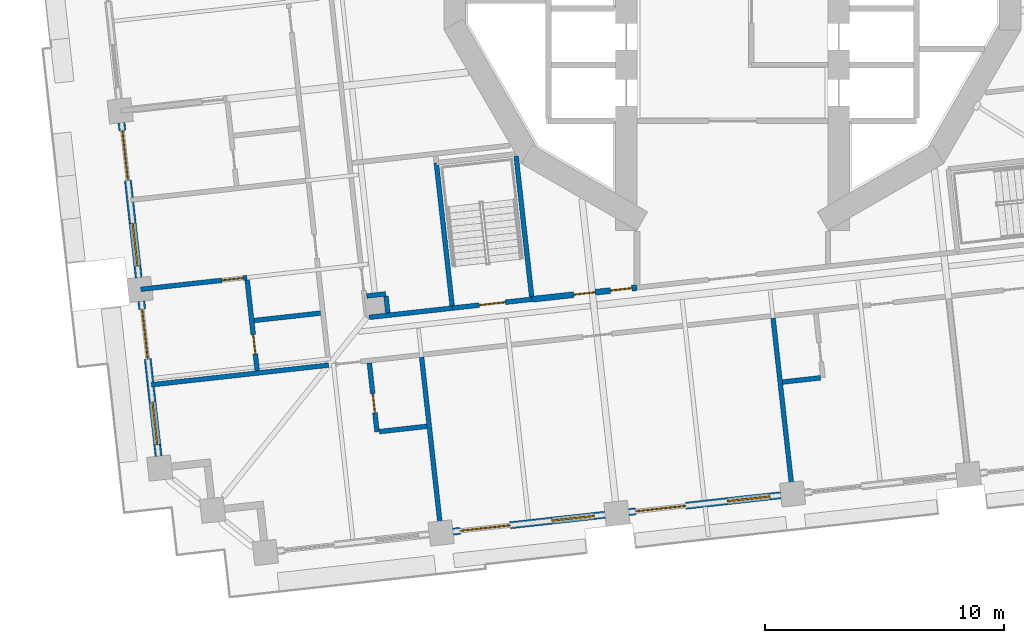
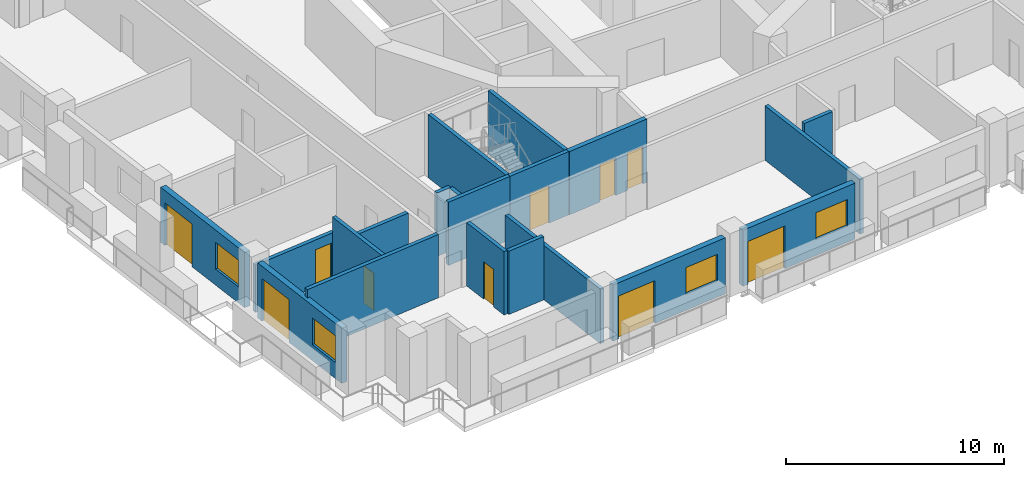
# One storey, part 7 of 20: 20 walls, 10 doors, 4 windows, 14 openings.
"""IFC4 building model written with IfcOpenShell, lengths in metres."""

from ifc_helpers import new_model, si_unit, direction, frame, frame_2d, origin, place, context, subcontext, project, spatial, rectangle, extrude, material, layer, layer_set, type_object, element, fill, save


model = new_model("IFC4")

# Units and contexts
model_context = context("Model", 3, precision=1e-05, world=origin(), true_north=direction((0.0, 1.0)))
body_context = subcontext(model_context, "Body", "Model", "MODEL_VIEW")
ifc_project = project(units=[si_unit("LENGTHUNIT", "METRE"), si_unit("AREAUNIT", "SQUARE_METRE"), si_unit("VOLUMEUNIT", "CUBIC_METRE"), si_unit("PLANEANGLEUNIT", "RADIAN"), si_unit("MASSUNIT", "GRAM", prefix="KILO")], contexts=[model_context])

# Site, building, storey
site_placement = place(None, origin())
site = spatial("IfcSite", under=ifc_project, at=site_placement, CompositionType="ELEMENT")
building_placement = place(site_placement, origin())
building = spatial("IfcBuilding", under=site, at=building_placement, Name="Cantera Rosa Tower", CompositionType="ELEMENT")
storey_placement = place(building_placement, frame((0.0, 0.0, 46.300048828125)))
storey = spatial("IfcBuildingStorey", under=building, at=storey_placement, Name="L08", CompositionType="ELEMENT", Elevation=46.300048828125)

# Wall
ifc_material_1 = material(Name="Gypsum board partition")
ifc_layer_1 = layer(ifc_material_1, 0.199951171875)
ifc_layer_set_1 = layer_set([ifc_layer_1], Name="CORRIDOR WALL 200 H3550")
wall_type_1 = type_object("IfcWallType", Name="CORRIDOR WALL 200 H3550", PredefinedType="PARTITIONING", material=ifc_layer_set_1)
wall_1_placement = place(storey_placement, frame((-15.208251953125, -15.27099609375, 0.0), z_axis=(0.0, 0.0, 1.0), x_axis=(0.993893064489, 0.110347525396, 0.0)))
element("IfcWall", 1, at=wall_1_placement, inside=storey, type_object=wall_type_1, Name="CORRIDOR WALL L08-024", PredefinedType="PARTITIONING", context=body_context, shape_type="SweptSolid", body=[
    extrude(rectangle(XDim=3.509033203125, YDim=0.199951171875, at=frame_2d((1.75439453125, 0.0))), origin(), (0.0, 0.0, 1.0), 3.550048828125),
])

# Wall, openings, window, door
ifc_material_2 = material(Name="Hollow clay masonry with cantera stone cladding", Category="masonry")
ifc_layer_2 = layer(ifc_material_2, 0.300048828125)
ifc_layer_set_2 = layer_set([ifc_layer_2], Name="EW-LOGGIA 300 H3090")
wall_type_2 = type_object("IfcWallType", Name="EW-LOGGIA 300 H3090", PredefinedType="SOLIDWALL", material=ifc_layer_set_2)
wall_2_placement = place(storey_placement, frame((-25.570068359375, -7.124267578125, 0.0), z_axis=(0.0, 0.0, 1.0), x_axis=(0.110312341265, -0.993896970196, 0.0)))
wall_2 = element("IfcWall", 2, at=wall_2_placement, inside=storey, type_object=wall_type_2, Name="EN-L08-W19", PredefinedType="SOLIDWALL", context=body_context, shape_type="SweptSolid", body=[
    extrude(rectangle(XDim=6.52001953125, YDim=0.300048828125, at=frame_2d((3.260009765625, 0.0))), origin(), (0.0, 0.0, 1.0), 3.08984375),
])
opening_1_placement = place(wall_2_placement, frame((0.330078125, 0.0, 0.0)))
opening_1 = element("IfcOpeningElement", 3, at=opening_1_placement, cuts=wall_2, Name="Opening L08-TD25", PredefinedType="OPENING", context=body_context, shape_type="SweptSolid", body=[
    extrude(rectangle(XDim=2.10009765625, YDim=2.39990234375, at=frame_2d((1.050048828125, 1.199951171875))), frame((0.0, 0.159912109375, 0.0), z_axis=(0.0, -1.0, 0.0), x_axis=(1.0, 0.0, 0.0)), (0.0, 0.0, 1.0), 0.320068359375),
])
opening_2_placement = place(wall_2_placement, frame((4.239990234375, 0.0, 0.89990234375)))
opening_2 = element("IfcOpeningElement", 4, at=opening_2_placement, cuts=wall_2, Name="Opening L08-W26", PredefinedType="OPENING", context=body_context, shape_type="SweptSolid", body=[
    extrude(rectangle(XDim=1.800048828125, YDim=1.5, at=frame_2d((0.89990234375, 0.75))), frame((0.0, 0.159912109375, 0.0), z_axis=(0.0, -1.0, 0.0), x_axis=(1.0, 0.0, 0.0)), (0.0, 0.0, 1.0), 0.320068359375),
])
ifc_material_3 = material(Name="Aluminium frame with clear glass", Category="aluminium")
window_type = type_object("IfcWindowType", Name="Hotel room window 1800x1500", PartitioningType="DOUBLE_PANEL_VERTICAL", PredefinedType="WINDOW", material=ifc_material_3)
window_1_placement = place(opening_2_placement, origin())
window_1 = element("IfcWindow", 5, at=window_1_placement, inside=storey, type_object=window_type, Name="WINDOW L08-W26", OverallHeight=1.5, OverallWidth=1.800048828125, PartitioningType="SINGLE_PANEL", PredefinedType="WINDOW", context=body_context, shape_type="SweptSolid", body=[
    extrude(rectangle(XDim=1.800048828125, YDim=1.5, at=frame_2d((0.89990234375, 0.75))), frame((0.0, 0.030029296875, 0.0), z_axis=(0.0, -1.0, 0.0), x_axis=(1.0, 0.0, 0.0)), (0.0, 0.0, 1.0), 0.06005859375),
])
fill(opening_2, window_1)
ifc_material_4 = material(Name="Aluminium frame with clear glass", Category="aluminium")
door_type_1 = type_object("IfcDoorType", Name="TD-H 2100x2400", OperationType="NOTDEFINED", PredefinedType="DOOR", material=ifc_material_4)
door_1_placement = place(opening_1_placement, origin())
door_1 = element("IfcDoor", 6, at=door_1_placement, inside=storey, type_object=door_type_1, Name="LOGGIA DOOR L08-TD25", OperationType="SLIDING_TO_LEFT", OverallHeight=2.39990234375, OverallWidth=2.10009765625, PredefinedType="DOOR", context=body_context, shape_type="SweptSolid", body=[
    extrude(rectangle(XDim=2.10009765625, YDim=2.39990234375, at=frame_2d((1.050048828125, 1.199951171875))), frame((0.0, 0.02490234375, 0.0), z_axis=(0.0, -1.0, 0.0), x_axis=(1.0, 0.0, 0.0)), (0.0, 0.0, 1.0), 0.050048828125),
])
fill(opening_1, door_1)

wall_3_placement = place(storey_placement, frame((-24.74072265625, -14.598388671875, 0.0), z_axis=(0.0, 0.0, 1.0), x_axis=(0.110312341265, -0.993896970196, 0.0)))
wall_3 = element("IfcWall", 7, at=wall_3_placement, inside=storey, type_object=wall_type_2, Name="EN-L08-W20", PredefinedType="SOLIDWALL", context=body_context, shape_type="SweptSolid", body=[
    extrude(rectangle(XDim=6.52001953125, YDim=0.300048828125, at=frame_2d((3.260009765625, 0.0))), origin(), (0.0, 0.0, 1.0), 3.08984375),
])
opening_3_placement = place(wall_3_placement, frame((0.330078125, 0.0, 0.0)))
opening_3 = element("IfcOpeningElement", 8, at=opening_3_placement, cuts=wall_3, Name="Opening L08-TD27", PredefinedType="OPENING", context=body_context, shape_type="SweptSolid", body=[
    extrude(rectangle(XDim=2.10009765625, YDim=2.39990234375, at=frame_2d((1.050048828125, 1.199951171875))), frame((0.0, 0.159912109375, 0.0), z_axis=(0.0, -1.0, 0.0), x_axis=(1.0, 0.0, 0.0)), (0.0, 0.0, 1.0), 0.320068359375),
])
opening_4_placement = place(wall_3_placement, frame((4.239990234375, 0.0, 0.89990234375)))
opening_4 = element("IfcOpeningElement", 9, at=opening_4_placement, cuts=wall_3, Name="Opening L08-W28", PredefinedType="OPENING", context=body_context, shape_type="SweptSolid", body=[
    extrude(rectangle(XDim=1.800048828125, YDim=1.5, at=frame_2d((0.89990234375, 0.75))), frame((0.0, 0.159912109375, 0.0), z_axis=(0.0, -1.0, 0.0), x_axis=(1.0, 0.0, 0.0)), (0.0, 0.0, 1.0), 0.320068359375),
])
window_2_placement = place(opening_4_placement, origin())
window_2 = element("IfcWindow", 10, at=window_2_placement, inside=storey, type_object=window_type, Name="WINDOW L08-W28", OverallHeight=1.5, OverallWidth=1.800048828125, PartitioningType="SINGLE_PANEL", PredefinedType="WINDOW", context=body_context, shape_type="SweptSolid", body=[
    extrude(rectangle(XDim=1.800048828125, YDim=1.5, at=frame_2d((0.89990234375, 0.75))), frame((0.0, 0.030029296875, 0.0), z_axis=(0.0, -1.0, 0.0), x_axis=(1.0, 0.0, 0.0)), (0.0, 0.0, 1.0), 0.06005859375),
])
fill(opening_4, window_2)
door_2_placement = place(opening_3_placement, origin())
door_2 = element("IfcDoor", 11, at=door_2_placement, inside=storey, type_object=door_type_1, Name="LOGGIA DOOR L08-TD27", OperationType="SLIDING_TO_LEFT", OverallHeight=2.39990234375, OverallWidth=2.10009765625, PredefinedType="DOOR", context=body_context, shape_type="SweptSolid", body=[
    extrude(rectangle(XDim=2.10009765625, YDim=2.39990234375, at=frame_2d((1.050048828125, 1.199951171875))), frame((0.0, 0.02490234375, 0.0), z_axis=(0.0, -1.0, 0.0), x_axis=(1.0, 0.0, 0.0)), (0.0, 0.0, 1.0), 0.050048828125),
])
fill(opening_3, door_2)

ifc_material_5 = material(Name="Hollow clay masonry with cantera stone cladding", Category="masonry")
ifc_layer_3 = layer(ifc_material_5, 0.300048828125)
ifc_layer_set_3 = layer_set([ifc_layer_3], Name="EW-LOGGIA 300 H3140")
wall_type_3 = type_object("IfcWallType", Name="EW-LOGGIA 300 H3140", PredefinedType="SOLIDWALL", material=ifc_layer_set_3)
wall_4_placement = place(storey_placement, frame((-11.697509765625, -24.23828125, 0.0), z_axis=(0.0, 0.0, 1.0), x_axis=(0.993895824271, 0.110322665379, 0.0)))
wall_4 = element("IfcWall", 12, at=wall_4_placement, inside=storey, type_object=wall_type_3, Name="EN-L08-W24", PredefinedType="SOLIDWALL", context=body_context, shape_type="SweptSolid", body=[
    extrude(rectangle(XDim=6.39990234375, YDim=0.300048828125, at=frame_2d((3.199951171875, 0.0))), origin(), (0.0, 0.0, 1.0), 3.139892578125),
])
opening_5_placement = place(wall_4_placement, frame((0.300048828125, 0.0, 0.0)))
opening_5 = element("IfcOpeningElement", 13, at=opening_5_placement, cuts=wall_4, Name="Opening L08-TD31", PredefinedType="OPENING", context=body_context, shape_type="SweptSolid", body=[
    extrude(rectangle(XDim=2.10009765625, YDim=2.39990234375, at=frame_2d((1.050048828125, 1.199951171875))), frame((0.0, 0.159912109375, 0.0), z_axis=(0.0, -1.0, 0.0), x_axis=(1.0, 0.0, 0.0)), (0.0, 0.0, 1.0), 0.320068359375),
])
opening_6_placement = place(wall_4_placement, frame((4.14990234375, 0.0, 0.89990234375)))
opening_6 = element("IfcOpeningElement", 14, at=opening_6_placement, cuts=wall_4, Name="Opening L08-W32", PredefinedType="OPENING", context=body_context, shape_type="SweptSolid", body=[
    extrude(rectangle(XDim=1.800048828125, YDim=1.5, at=frame_2d((0.89990234375, 0.75))), frame((0.0, 0.159912109375, 0.0), z_axis=(0.0, -1.0, 0.0), x_axis=(1.0, 0.0, 0.0)), (0.0, 0.0, 1.0), 0.320068359375),
])
window_3_placement = place(opening_6_placement, origin())
window_3 = element("IfcWindow", 15, at=window_3_placement, inside=storey, type_object=window_type, Name="WINDOW L08-W32", OverallHeight=1.5, OverallWidth=1.800048828125, PartitioningType="SINGLE_PANEL", PredefinedType="WINDOW", context=body_context, shape_type="SweptSolid", body=[
    extrude(rectangle(XDim=1.800048828125, YDim=1.5, at=frame_2d((0.89990234375, 0.75))), frame((0.0, 0.030029296875, 0.0), z_axis=(0.0, -1.0, 0.0), x_axis=(1.0, 0.0, 0.0)), (0.0, 0.0, 1.0), 0.06005859375),
])
fill(opening_6, window_3)
door_3_placement = place(opening_5_placement, origin())
door_3 = element("IfcDoor", 16, at=door_3_placement, inside=storey, type_object=door_type_1, Name="LOGGIA DOOR L08-TD31", OperationType="SLIDING_TO_LEFT", OverallHeight=2.39990234375, OverallWidth=2.10009765625, PredefinedType="DOOR", context=body_context, shape_type="SweptSolid", body=[
    extrude(rectangle(XDim=2.10009765625, YDim=2.39990234375, at=frame_2d((1.050048828125, 1.199951171875))), frame((0.0, 0.02490234375, 0.0), z_axis=(0.0, -1.0, 0.0), x_axis=(1.0, 0.0, 0.0)), (0.0, 0.0, 1.0), 0.050048828125),
])
fill(opening_5, door_3)

wall_5_placement = place(storey_placement, frame((-4.3427734375, -23.422119140625, 0.0), z_axis=(0.0, 0.0, 1.0), x_axis=(0.993895824271, 0.110322665379, 0.0)))
wall_5 = element("IfcWall", 17, at=wall_5_placement, inside=storey, type_object=wall_type_3, Name="EN-L08-W25", PredefinedType="SOLIDWALL", context=body_context, shape_type="SweptSolid", body=[
    extrude(rectangle(XDim=6.39990234375, YDim=0.300048828125, at=frame_2d((3.199951171875, 0.0))), origin(), (0.0, 0.0, 1.0), 3.139892578125),
])
opening_7_placement = place(wall_5_placement, frame((0.300048828125, 0.0, 0.0)))
opening_7 = element("IfcOpeningElement", 18, at=opening_7_placement, cuts=wall_5, Name="Opening L08-TD33", PredefinedType="OPENING", context=body_context, shape_type="SweptSolid", body=[
    extrude(rectangle(XDim=2.10009765625, YDim=2.39990234375, at=frame_2d((1.050048828125, 1.199951171875))), frame((0.0, 0.159912109375, 0.0), z_axis=(0.0, -1.0, 0.0), x_axis=(1.0, 0.0, 0.0)), (0.0, 0.0, 1.0), 0.320068359375),
])
opening_8_placement = place(wall_5_placement, frame((4.14990234375, 0.0, 0.89990234375)))
opening_8 = element("IfcOpeningElement", 19, at=opening_8_placement, cuts=wall_5, Name="Opening L08-W34", PredefinedType="OPENING", context=body_context, shape_type="SweptSolid", body=[
    extrude(rectangle(XDim=1.800048828125, YDim=1.5, at=frame_2d((0.89990234375, 0.75))), frame((0.0, 0.159912109375, 0.0), z_axis=(0.0, -1.0, 0.0), x_axis=(1.0, 0.0, 0.0)), (0.0, 0.0, 1.0), 0.320068359375),
])
window_4_placement = place(opening_8_placement, origin())
window_4 = element("IfcWindow", 20, at=window_4_placement, inside=storey, type_object=window_type, Name="WINDOW L08-W34", OverallHeight=1.5, OverallWidth=1.800048828125, PartitioningType="SINGLE_PANEL", PredefinedType="WINDOW", context=body_context, shape_type="SweptSolid", body=[
    extrude(rectangle(XDim=1.800048828125, YDim=1.5, at=frame_2d((0.89990234375, 0.75))), frame((0.0, 0.030029296875, 0.0), z_axis=(0.0, -1.0, 0.0), x_axis=(1.0, 0.0, 0.0)), (0.0, 0.0, 1.0), 0.06005859375),
])
fill(opening_8, window_4)
door_4_placement = place(opening_7_placement, origin())
door_4 = element("IfcDoor", 21, at=door_4_placement, inside=storey, type_object=door_type_1, Name="LOGGIA DOOR L08-TD33", OperationType="SLIDING_TO_LEFT", OverallHeight=2.39990234375, OverallWidth=2.10009765625, PredefinedType="DOOR", context=body_context, shape_type="SweptSolid", body=[
    extrude(rectangle(XDim=2.10009765625, YDim=2.39990234375, at=frame_2d((1.050048828125, 1.199951171875))), frame((0.0, 0.02490234375, 0.0), z_axis=(0.0, -1.0, 0.0), x_axis=(1.0, 0.0, 0.0)), (0.0, 0.0, 1.0), 0.050048828125),
])
fill(opening_7, door_4)

# Wall, opening, door
ifc_material_6 = material(Name="Gypsum board partition")
ifc_layer_4 = layer(ifc_material_6, 0.199951171875)
ifc_layer_set_4 = layer_set([ifc_layer_4], Name="PARTITION 200 H2650")
wall_type_4 = type_object("IfcWallType", Name="PARTITION 200 H2650", PredefinedType="PARTITIONING", material=ifc_layer_set_4)
wall_6_placement = place(storey_placement, frame((-24.76611328125, -14.097900390625, 0.0), z_axis=(0.0, 0.0, 1.0), x_axis=(0.993901704808, 0.1102696748, 0.0)))
wall_6 = element("IfcWall", 22, at=wall_6_placement, inside=storey, type_object=wall_type_4, Name="PARTITION L08-002", PredefinedType="PARTITIONING", context=body_context, shape_type="SweptSolid", body=[
    extrude(rectangle(XDim=4.47021484375, YDim=0.199951171875, at=frame_2d((2.235107421875, 0.0))), origin(), (0.0, 0.0, 1.0), 2.64990234375),
])
opening_9_placement = place(wall_6_placement, frame((3.419921875, 0.0, 0.0)))
opening_9 = element("IfcOpeningElement", 23, at=opening_9_placement, cuts=wall_6, Name="Opening L08-033", PredefinedType="OPENING", context=body_context, shape_type="SweptSolid", body=[
    extrude(rectangle(XDim=0.89990234375, YDim=2.10009765625, at=frame_2d((0.449951171875, 1.050048828125))), frame((0.0, 0.10986328125, 0.0), z_axis=(0.0, -1.0, 0.0), x_axis=(1.0, 0.0, 0.0)), (0.0, 0.0, 1.0), 0.219970703125),
])
ifc_material_7 = material(Name="Timber door leaf", Category="wood")
door_type_2 = type_object("IfcDoorType", Name="ROOM DOOR 900x2100", OperationType="NOTDEFINED", PredefinedType="DOOR", material=ifc_material_7)
door_5_placement = place(opening_9_placement, origin())
door_5 = element("IfcDoor", 24, at=door_5_placement, inside=storey, type_object=door_type_2, Name="DOOR L08-033", OperationType="NOTDEFINED", OverallHeight=2.10009765625, OverallWidth=0.89990234375, PredefinedType="DOOR", context=body_context, shape_type="SweptSolid", body=[
    extrude(rectangle(XDim=0.89990234375, YDim=2.10009765625, at=frame_2d((0.449951171875, 1.050048828125))), frame((0.0, 0.02490234375, 0.0), z_axis=(0.0, -1.0, 0.0), x_axis=(1.0, 0.0, 0.0)), (0.0, 0.0, 1.0), 0.050048828125),
])
fill(opening_9, door_5)

ifc_material_8 = material(Name="Gypsum board partition")
ifc_layer_5 = layer(ifc_material_8, 0.199951171875)
ifc_layer_set_5 = layer_set([ifc_layer_5], Name="PARTITION 200 H3550")
wall_type_5 = type_object("IfcWallType", Name="PARTITION 200 H3550", PredefinedType="PARTITIONING", material=ifc_layer_set_5)
wall_7_placement = place(storey_placement, frame((-20.312255859375, -13.704345703125, 0.0), z_axis=(0.0, 0.0, 1.0), x_axis=(0.110312274665, -0.993896977588, 0.0)))
wall_7 = element("IfcWall", 25, at=wall_7_placement, inside=storey, type_object=wall_type_5, Name="PARTITION L08-007", PredefinedType="PARTITIONING", context=body_context, shape_type="SweptSolid", body=[
    extrude(rectangle(XDim=3.81982421875, YDim=0.199951171875, at=frame_2d((1.909912109375, 0.0))), origin(), (0.0, 0.0, 1.0), 3.550048828125),
])
opening_10_placement = place(wall_7_placement, frame((2.31005859375, 0.0, 0.0)))
opening_10 = element("IfcOpeningElement", 26, at=opening_10_placement, cuts=wall_7, Name="Opening L08-034", PredefinedType="OPENING", context=body_context, shape_type="SweptSolid", body=[
    extrude(rectangle(XDim=0.800048828125, YDim=2.10009765625, at=frame_2d((0.39990234375, 1.050048828125))), frame((0.0, 0.10986328125, 0.0), z_axis=(0.0, -1.0, 0.0), x_axis=(1.0, 0.0, 0.0)), (0.0, 0.0, 1.0), 0.219970703125),
])
ifc_material_9 = material(Name="Timber door leaf", Category="wood")
door_type_3 = type_object("IfcDoorType", Name="BATHROOM DOOR 800x2100", OperationType="NOTDEFINED", PredefinedType="DOOR", material=ifc_material_9)
door_6_placement = place(opening_10_placement, origin())
door_6 = element("IfcDoor", 27, at=door_6_placement, inside=storey, type_object=door_type_3, Name="DOOR L08-034", OperationType="NOTDEFINED", OverallHeight=2.10009765625, OverallWidth=0.800048828125, PredefinedType="DOOR", context=body_context, shape_type="SweptSolid", body=[
    extrude(rectangle(XDim=0.800048828125, YDim=2.10009765625, at=frame_2d((0.39990234375, 1.050048828125))), frame((0.0, 0.02490234375, 0.0), z_axis=(0.0, -1.0, 0.0), x_axis=(1.0, 0.0, 0.0)), (0.0, 0.0, 1.0), 0.050048828125),
])
fill(opening_10, door_6)

# Wall
wall_8_placement = place(storey_placement, frame((-20.023193359375, -15.40283203125, 0.0), z_axis=(0.0, 0.0, 1.0), x_axis=(0.993898612038, 0.110297547524, 0.0)))
element("IfcWall", 28, at=wall_8_placement, inside=storey, type_object=wall_type_5, Name="PARTITION L08-010", PredefinedType="PARTITIONING", context=body_context, shape_type="SweptSolid", body=[
    extrude(rectangle(XDim=2.800048828125, YDim=0.199951171875, at=frame_2d((1.39990234375, 0.0))), origin(), (0.0, 0.0, 1.0), 3.550048828125),
])

# Wall, opening, door
wall_9_placement = place(storey_placement, frame((-14.87744140625, -20.063720703125, 0.0), z_axis=(0.0, 0.0, 1.0), x_axis=(-0.110366846939, 0.993890919114, 0.0)))
wall_9 = element("IfcWall", 29, at=wall_9_placement, inside=storey, type_object=wall_type_5, Name="PARTITION L08-025", PredefinedType="PARTITIONING", context=body_context, shape_type="SweptSolid", body=[
    extrude(rectangle(XDim=2.900146484375, YDim=0.199951171875, at=frame_2d((1.4501953125, 0.0))), origin(), (0.0, 0.0, 1.0), 3.550048828125),
])
opening_11_placement = place(wall_9_placement, frame((0.800048828125, 0.0, 0.0)))
opening_11 = element("IfcOpeningElement", 30, at=opening_11_placement, cuts=wall_9, Name="Opening L08-046", PredefinedType="OPENING", context=body_context, shape_type="SweptSolid", body=[
    extrude(rectangle(XDim=0.800048828125, YDim=2.10009765625, at=frame_2d((0.39990234375, 1.050048828125))), frame((0.0, 0.10986328125, 0.0), z_axis=(0.0, -1.0, 0.0), x_axis=(1.0, 0.0, 0.0)), (0.0, 0.0, 1.0), 0.219970703125),
])
door_7_placement = place(opening_11_placement, origin())
door_7 = element("IfcDoor", 31, at=door_7_placement, inside=storey, type_object=door_type_3, Name="DOOR L08-046", OperationType="NOTDEFINED", OverallHeight=2.10009765625, OverallWidth=0.800048828125, PredefinedType="DOOR", context=body_context, shape_type="SweptSolid", body=[
    extrude(rectangle(XDim=0.800048828125, YDim=2.10009765625, at=frame_2d((0.39990234375, 1.050048828125))), frame((0.0, 0.02490234375, 0.0), z_axis=(0.0, -1.0, 0.0), x_axis=(1.0, 0.0, 0.0)), (0.0, 0.0, 1.0), 0.050048828125),
])
fill(opening_11, door_7)

# Walls
wall_10_placement = place(storey_placement, frame((-14.512451171875, -14.2880859375, 0.0), z_axis=(0.0, 0.0, 1.0), x_axis=(-0.993880012744, -0.110465018303, 0.0)))
element("IfcWall", 32, at=wall_10_placement, inside=storey, type_object=wall_type_5, Name="PARTITION L08-027", PredefinedType="PARTITIONING", context=body_context, shape_type="SweptSolid", body=[
    extrude(rectangle(XDim=0.800048828125, YDim=0.199951171875, at=frame_2d((0.39990234375, 0.0))), origin(), (0.0, 0.0, 1.0), 3.550048828125),
])
wall_11_placement = place(storey_placement, frame((-14.42431640625, -15.083251953125, 0.0), z_axis=(0.0, 0.0, 1.0), x_axis=(-0.110201865026, 0.993909225707, 0.0)))
element("IfcWall", 33, at=wall_11_placement, inside=storey, type_object=wall_type_5, Name="PARTITION L08-029", PredefinedType="PARTITIONING", context=body_context, shape_type="SweptSolid", body=[
    extrude(rectangle(XDim=0.699951171875, YDim=0.199951171875, at=frame_2d((0.35009765625, 0.0))), origin(), (0.0, 0.0, 1.0), 3.550048828125),
])
wall_12_placement = place(storey_placement, frame((-12.790283203125, -19.83203125, 0.0), z_axis=(0.0, 0.0, 1.0), x_axis=(-0.993906044505, -0.110230552467, 0.0)))
element("IfcWall", 34, at=wall_12_placement, inside=storey, type_object=wall_type_5, Name="PARTITION L08-031", PredefinedType="PARTITIONING", context=body_context, shape_type="SweptSolid", body=[
    extrude(rectangle(XDim=2.0, YDim=0.199951171875, at=frame_2d((1.0, 0.0))), origin(), (0.0, 0.0, 1.0), 3.550048828125),
])
wall_13_placement = place(storey_placement, frame((3.686279296875, -17.802001953125, 0.0), z_axis=(0.0, 0.0, 1.0), x_axis=(-0.99389675276, -0.110314300314, 0.0)))
element("IfcWall", 35, at=wall_13_placement, inside=storey, type_object=wall_type_5, Name="PARTITION L08-060", PredefinedType="PARTITIONING", context=body_context, shape_type="SweptSolid", body=[
    extrude(rectangle(XDim=1.60009765625, YDim=0.199951171875, at=frame_2d((0.800048828125, 0.0))), origin(), (0.0, 0.0, 1.0), 3.550048828125),
])
ifc_material_10 = material(Name="Gypsum board partition")
ifc_layer_6 = layer(ifc_material_10, 0.199951171875)
ifc_layer_set_6 = layer_set([ifc_layer_6], Name="PARTY WALL 200 H3050")
wall_type_6 = type_object("IfcWallType", Name="PARTY WALL 200 H3050", PredefinedType="PARTITIONING", material=ifc_layer_set_6)
wall_14_placement = place(storey_placement, frame((-12.197998046875, -24.263671875, 0.0), z_axis=(0.0, 0.0, 1.0), x_axis=(-0.11031154238, 0.993897058864, 0.0)))
element("IfcWall", 36, at=wall_14_placement, inside=storey, type_object=wall_type_6, Name="PARTY WALL L08-035", PredefinedType="PARTITIONING", context=body_context, shape_type="SweptSolid", body=[
    extrude(rectangle(XDim=7.369873046875, YDim=0.199951171875, at=frame_2d((3.68505859375, 0.0))), origin(), (0.0, 0.0, 1.0), 3.050048828125),
])
wall_15_placement = place(storey_placement, frame((1.69873046875, -15.305908203125, 0.0), z_axis=(0.0, 0.0, 1.0), x_axis=(0.110307910555, -0.993897461949, 0.0)))
element("IfcWall", 37, at=wall_15_placement, inside=storey, type_object=wall_type_6, Name="PARTY WALL L08-058", PredefinedType="PARTITIONING", context=body_context, shape_type="SweptSolid", body=[
    extrude(rectangle(XDim=7.3701171875, YDim=0.199951171875, at=frame_2d((3.68505859375, 0.0))), origin(), (0.0, 0.0, 1.0), 3.050048828125),
])
ifc_material_11 = material(Name="Gypsum board partition")
ifc_layer_7 = layer(ifc_material_11, 0.199951171875)
ifc_layer_set_7 = layer_set([ifc_layer_7], Name="PARTY WALL 200 H3550")
wall_type_7 = type_object("IfcWallType", Name="PARTY WALL 200 H3550", PredefinedType="PARTITIONING", material=ifc_layer_set_7)
wall_16_placement = place(storey_placement, frame((-24.322509765625, -18.093505859375, 0.0), z_axis=(0.0, 0.0, 1.0), x_axis=(0.993897676912, 0.110305973679, 0.0)))
element("IfcWall", 38, at=wall_16_placement, inside=storey, type_object=wall_type_7, Name="PARTY WALL L08-003", PredefinedType="PARTITIONING", context=body_context, shape_type="SweptSolid", body=[
    extrude(rectangle(XDim=7.469970703125, YDim=0.199951171875, at=frame_2d((3.73486328125, 0.0))), origin(), (0.0, 0.0, 1.0), 3.550048828125),
])

# Wall, openings, doors
ifc_material_12 = material(Name="Masonry blockwork", Category="masonry")
ifc_layer_8 = layer(ifc_material_12, 0.25)
ifc_layer_set_8 = layer_set([ifc_layer_8], Name="SHAFT WALL 250 H3550")
wall_type_8 = type_object("IfcWallType", Name="SHAFT WALL 250 H3550", PredefinedType="SOLIDWALL", material=ifc_layer_set_8)
wall_17_placement = place(storey_placement, frame((-8.391357421875, -14.51416015625, 0.0), z_axis=(0.0, 0.0, 1.0), x_axis=(0.993899223668, 0.110292035939, 0.0)))
wall_17 = element("IfcWall", 39, at=wall_17_placement, inside=storey, type_object=wall_type_8, Name="SHAFT WALL L08-042", PredefinedType="SOLIDWALL", context=body_context, shape_type="SweptSolid", body=[
    extrude(rectangle(XDim=4.418212890625, YDim=0.25, at=frame_2d((2.208984375, 0.0))), origin(), (0.0, 0.0, 1.0), 3.550048828125),
])
opening_12_placement = place(wall_17_placement, frame((3.305419921875, 0.0, 0.0)))
opening_12 = element("IfcOpeningElement", 40, at=opening_12_placement, cuts=wall_17, Name="Opening L08-008", PredefinedType="OPENING", context=body_context, shape_type="SweptSolid", body=[
    extrude(rectangle(XDim=0.89990234375, YDim=2.10009765625, at=frame_2d((0.449951171875, 1.050048828125))), frame((0.0, 0.135009765625, 0.0), z_axis=(0.0, -1.0, 0.0), x_axis=(1.0, 0.0, 0.0)), (0.0, 0.0, 1.0), 0.27001953125),
])
opening_13_placement = place(wall_17_placement, frame((1.759033203125, 0.0, 0.0)))
opening_13 = element("IfcOpeningElement", 41, at=opening_13_placement, cuts=wall_17, Name="Opening L08-049", PredefinedType="OPENING", context=body_context, shape_type="SweptSolid", body=[
    extrude(rectangle(XDim=0.89990234375, YDim=2.10009765625, at=frame_2d((0.449951171875, 1.050048828125))), frame((0.0, 0.135009765625, 0.0), z_axis=(0.0, -1.0, 0.0), x_axis=(1.0, 0.0, 0.0)), (0.0, 0.0, 1.0), 0.27001953125),
])
ifc_material_13 = material(Name="Timber door leaf", Category="wood")
door_type_4 = type_object("IfcDoorType", Name="SERVICE DOOR 900x2100", OperationType="NOTDEFINED", PredefinedType="DOOR", material=ifc_material_13)
door_8_placement = place(opening_12_placement, origin())
door_8 = element("IfcDoor", 42, at=door_8_placement, inside=storey, type_object=door_type_4, Name="RISER DOOR L08-008", OperationType="NOTDEFINED", OverallHeight=2.10009765625, OverallWidth=0.89990234375, PredefinedType="DOOR", context=body_context, shape_type="SweptSolid", body=[
    extrude(rectangle(XDim=0.89990234375, YDim=2.10009765625, at=frame_2d((0.449951171875, 1.050048828125))), frame((0.0, 0.02490234375, 0.0), z_axis=(0.0, -1.0, 0.0), x_axis=(1.0, 0.0, 0.0)), (0.0, 0.0, 1.0), 0.050048828125),
])
fill(opening_12, door_8)
door_9_placement = place(opening_13_placement, origin())
door_9 = element("IfcDoor", 43, at=door_9_placement, inside=storey, type_object=door_type_4, Name="RISER DOOR L08-049", OperationType="NOTDEFINED", OverallHeight=2.10009765625, OverallWidth=0.89990234375, PredefinedType="DOOR", context=body_context, shape_type="SweptSolid", body=[
    extrude(rectangle(XDim=0.89990234375, YDim=2.10009765625, at=frame_2d((0.449951171875, 1.050048828125))), frame((0.0, 0.02490234375, 0.0), z_axis=(0.0, -1.0, 0.0), x_axis=(1.0, 0.0, 0.0)), (0.0, 0.0, 1.0), 0.050048828125),
])
fill(opening_13, door_9)

# Wall
ifc_material_14 = material(Name="Concrete C50/60", Category="concrete")
ifc_layer_9 = layer(ifc_material_14, 0.199951171875)
ifc_layer_set_9 = layer_set([ifc_layer_9], Name="STAIR WALL 200 H3550")
wall_type_9 = type_object("IfcWallType", Name="STAIR WALL 200 H3550", PredefinedType="SOLIDWALL", material=ifc_layer_set_9)
wall_18_placement = place(storey_placement, frame((-12.395751953125, -8.802978515625, 0.0), z_axis=(0.0, 0.0, 1.0), x_axis=(0.110335171461, -0.993894436014, 0.0)))
element("IfcWall", 44, at=wall_18_placement, inside=storey, type_object=wall_type_9, Name="STAIR WALL L08-033", PredefinedType="SOLIDWALL", context=body_context, shape_type="SweptSolid", body=[
    extrude(rectangle(XDim=6.1181640625, YDim=0.199951171875, at=frame_2d((3.05908203125, 0.0))), origin(), (0.0, 0.0, 1.0), 3.550048828125),
])

# Wall, opening, door
wall_19_placement = place(storey_placement, frame((-11.720703125, -14.8837890625, 0.0), z_axis=(0.0, 0.0, 1.0), x_axis=(0.993893507649, 0.110343533811, 0.0)))
wall_19 = element("IfcWall", 45, at=wall_19_placement, inside=storey, type_object=wall_type_9, Name="STAIR WALL L08-036", PredefinedType="SOLIDWALL", context=body_context, shape_type="SweptSolid", body=[
    extrude(rectangle(XDim=3.349853515625, YDim=0.199951171875, at=frame_2d((1.6748046875, 0.0))), origin(), (0.0, 0.0, 1.0), 3.550048828125),
])
opening_14_placement = place(wall_19_placement, frame((1.125, 0.0, 0.0)))
opening_14 = element("IfcOpeningElement", 46, at=opening_14_placement, cuts=wall_19, Name="Opening L08-003", PredefinedType="OPENING", context=body_context, shape_type="SweptSolid", body=[
    extrude(rectangle(XDim=1.10009765625, YDim=2.10009765625, at=frame_2d((0.550048828125, 1.050048828125))), frame((0.0, 0.10986328125, 0.0), z_axis=(0.0, -1.0, 0.0), x_axis=(1.0, 0.0, 0.0)), (0.0, 0.0, 1.0), 0.219970703125),
])
ifc_material_15 = material(Name="Steel S355J2 (EN 10025-2)", Category="steel")
door_type_5 = type_object("IfcDoorType", Name="STAIR DOOR 1100x2100", OperationType="NOTDEFINED", PredefinedType="DOOR", material=ifc_material_15)
door_10_placement = place(opening_14_placement, origin())
door_10 = element("IfcDoor", 47, at=door_10_placement, inside=storey, type_object=door_type_5, Name="DOOR L08-003", OperationType="NOTDEFINED", OverallHeight=2.10009765625, OverallWidth=1.10009765625, PredefinedType="DOOR", context=body_context, shape_type="SweptSolid", body=[
    extrude(rectangle(XDim=1.10009765625, YDim=2.10009765625, at=frame_2d((0.550048828125, 1.050048828125))), frame((0.0, 0.02490234375, 0.0), z_axis=(0.0, -1.0, 0.0), x_axis=(1.0, 0.0, 0.0)), (0.0, 0.0, 1.0), 0.050048828125),
])
fill(opening_14, door_10)

# Wall
wall_20_placement = place(storey_placement, frame((-8.391357421875, -14.51416015625, 0.0), z_axis=(0.0, 0.0, 1.0), x_axis=(-0.11031151838, 0.993897061527, 0.0)))
element("IfcWall", 48, at=wall_20_placement, inside=storey, type_object=wall_type_9, Name="STAIR WALL L08-041", PredefinedType="SOLIDWALL", context=body_context, shape_type="SweptSolid", body=[
    extrude(rectangle(XDim=6.02880859375, YDim=0.199951171875, at=frame_2d((3.014404296875, 0.0))), origin(), (0.0, 0.0, 1.0), 3.550048828125),
])

save(model, "model.ifc")
